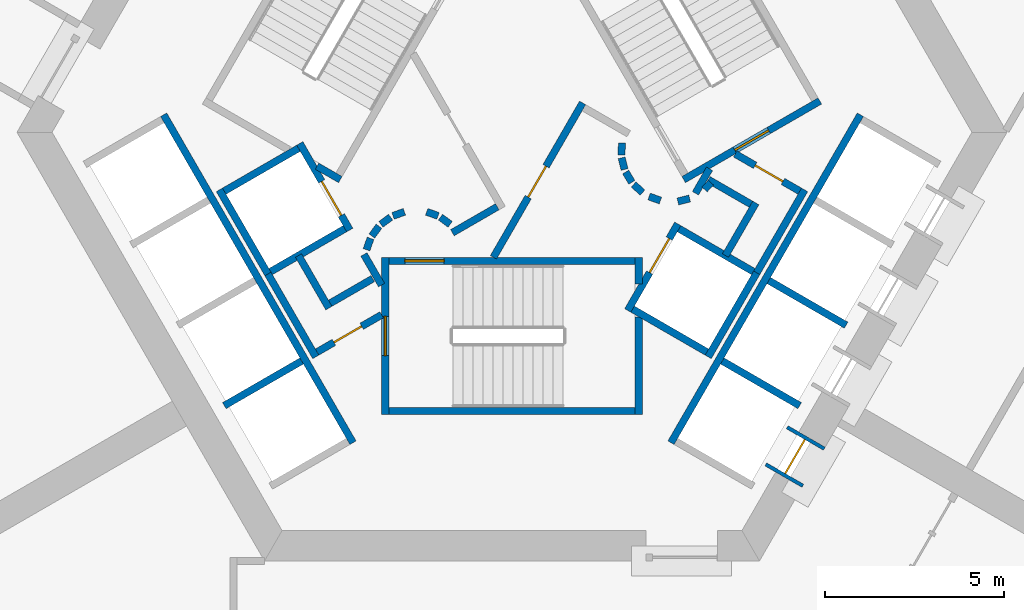
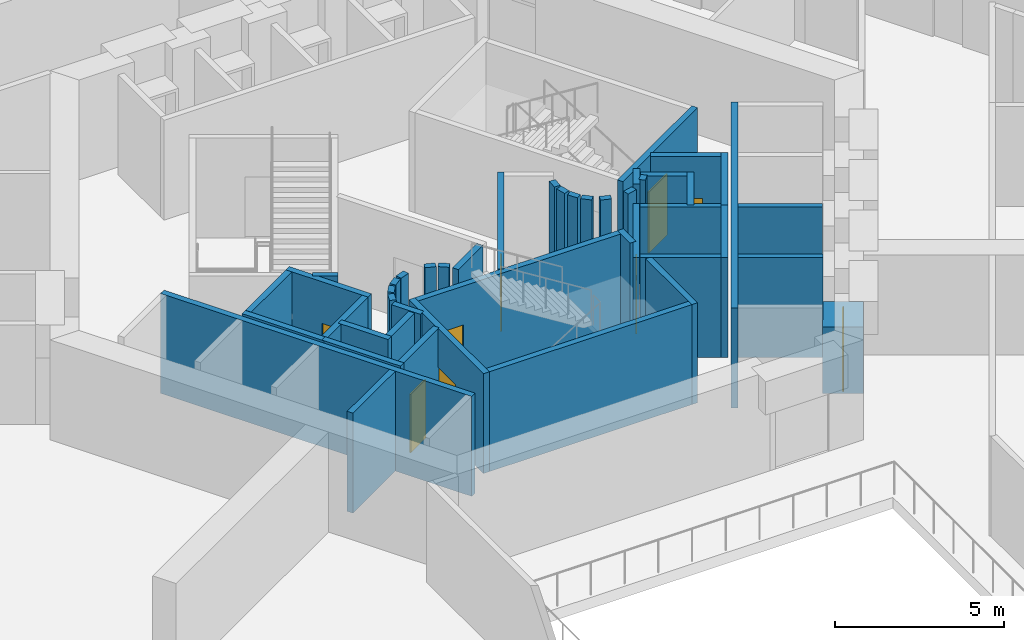
# One storey, part 6 of 15: 46 walls, 9 doors, 9 openings.
"""IFC4 building model written with IfcOpenShell, lengths in metres."""

from ifc_helpers import new_model, si_unit, direction, frame, frame_2d, origin, place, context, subcontext, project, spatial, rectangle, extrude, material, layer, layer_set, type_object, element, fill, save


model = new_model("IFC4")

# Units and contexts
model_context = context("Model", 3, precision=1e-05, world=origin(), true_north=direction((0.0, 1.0)))
body_context = subcontext(model_context, "Body", "Model", "MODEL_VIEW")
ifc_project = project(units=[si_unit("LENGTHUNIT", "METRE"), si_unit("AREAUNIT", "SQUARE_METRE"), si_unit("VOLUMEUNIT", "CUBIC_METRE"), si_unit("PLANEANGLEUNIT", "RADIAN"), si_unit("MASSUNIT", "GRAM", prefix="KILO")], contexts=[model_context])

# Site, building, storey
site_placement = place(None, origin())
site = spatial("IfcSite", under=ifc_project, at=site_placement, CompositionType="ELEMENT")
building_placement = place(site_placement, origin())
building = spatial("IfcBuilding", under=site, at=building_placement, Name="Entoto Arch Interchange Tower", CompositionType="ELEMENT")
storey_placement = place(building_placement, frame((0.0, 0.0, 128.60009765625)))
storey = spatial("IfcBuildingStorey", under=building, at=storey_placement, Name="L28", CompositionType="ELEMENT", Elevation=128.60009765625)

# Wall, opening, door
ifc_material_1 = material(Name="Concrete C40/50", Category="concrete")
ifc_layer_1 = layer(ifc_material_1, 1.199951171875)
ifc_layer_set_1 = layer_set([ifc_layer_1], Name="Concrete C40/50")
wall_type_1 = type_object("IfcWallType", Name="LIFT LANDING INFILL WALL", PredefinedType="STANDARD", material=ifc_layer_set_1)
wall_1_placement = place(storey_placement, frame((7.597900390625, -7.139892578125, 0.0), z_axis=(0.0, 0.0, 1.0), x_axis=(0.500362116554, 0.865816234728, 0.0)))
wall_1 = element("IfcWall", 1, at=wall_1_placement, inside=storey, type_object=wall_type_1, Name="Lift landing infill wall LR5 L28", PredefinedType="STANDARD", context=body_context, shape_type="SweptSolid", body=[
    extrude(rectangle(XDim=1.29931640625, YDim=1.199951171875, at=frame_2d((0.649658203125, 0.0))), origin(), (0.0, 0.0, 1.0), 2.39990234375),
])
opening_1_placement = place(wall_1_placement, frame((0.10009765625, 0.0, 0.0)))
opening_1 = element("IfcOpeningElement", 2, at=opening_1_placement, cuts=wall_1, Name="Opening LD-LR5-L28", PredefinedType="OPENING", context=body_context, shape_type="SweptSolid", body=[
    extrude(rectangle(XDim=1.10009765625, YDim=2.300048828125, at=frame_2d((0.550048828125, 1.14990234375))), frame((0.0, 0.60986328125, 0.0), z_axis=(0.0, -1.0, 0.0), x_axis=(1.0, 0.0, 0.0)), (0.0, 0.0, 1.0), 1.219970703125),
])
ifc_material_2 = material(Name="Stainless steel 1.4301 panels", Category="steel")
door_type_1 = type_object("IfcDoorType", Name="LIFT LANDING DOOR LD2 1100x2300", OperationType="SLIDING_TO_LEFT", PredefinedType="DOOR", material=ifc_material_2)
door_1_placement = place(opening_1_placement, origin())
door_1 = element("IfcDoor", 3, at=door_1_placement, inside=storey, type_object=door_type_1, Name="Lift landing door LR5 L28", OperationType="SLIDING_TO_LEFT", OverallHeight=2.300048828125, OverallWidth=1.10009765625, PredefinedType="DOOR", context=body_context, shape_type="SweptSolid", body=[
    extrude(rectangle(XDim=1.10009765625, YDim=2.300048828125, at=frame_2d((0.550048828125, 1.14990234375))), frame((0.0, 0.02490234375, 0.0), z_axis=(0.0, -1.0, 0.0), x_axis=(1.0, 0.0, 0.0)), (0.0, 0.0, 1.0), 0.050048828125),
])
fill(opening_1, door_1)

ifc_layer_2 = layer(ifc_material_1, 0.199951171875)
ifc_layer_set_2 = layer_set([ifc_layer_2], Name="Concrete C40/50")
wall_type_2 = type_object("IfcWallType", Name="LIFT SHAFT WALL 200", PredefinedType="STANDARD", material=ifc_layer_set_2)
wall_2_placement = place(storey_placement, frame((-5.93994140625, 2.18798828125, 0.0), z_axis=(0.0, 0.0, 1.0), x_axis=(0.49994636267, -0.866056369097, 0.0)))
wall_2 = element("IfcWall", 4, at=wall_2_placement, inside=storey, type_object=wall_type_2, Name="Shaft wall SW1 front", PredefinedType="STANDARD", context=body_context, shape_type="SweptSolid", body=[
    extrude(rectangle(XDim=2.800048828125, YDim=0.199951171875, at=frame_2d((1.39990234375, 0.0))), origin(), (0.0, 0.0, 1.0), 3.599853515625),
])
opening_2_placement = place(wall_2_placement, frame((1.22509765625, 0.0, 0.0)))
opening_2 = element("IfcOpeningElement", 5, at=opening_2_placement, cuts=wall_2, Name="Opening LD-FF2-L28", PredefinedType="OPENING", context=body_context, shape_type="SweptSolid", body=[
    extrude(rectangle(XDim=1.10009765625, YDim=2.10009765625, at=frame_2d((0.550048828125, 1.050048828125))), frame((0.0, 0.10986328125, 0.0), z_axis=(0.0, -1.0, 0.0), x_axis=(1.0, 0.0, 0.0)), (0.0, 0.0, 1.0), 0.219970703125),
])
door_type_2 = type_object("IfcDoorType", Name="LIFT LANDING DOOR LD1 1100x2100", OperationType="SLIDING_TO_LEFT", PredefinedType="DOOR", material=ifc_material_2)
door_2_placement = place(opening_2_placement, origin())
door_2 = element("IfcDoor", 6, at=door_2_placement, inside=storey, type_object=door_type_2, Name="Lift landing door FF2 L28", OperationType="SLIDING_TO_LEFT", OverallHeight=2.10009765625, OverallWidth=1.10009765625, PredefinedType="DOOR", context=body_context, shape_type="SweptSolid", body=[
    extrude(rectangle(XDim=1.10009765625, YDim=2.10009765625, at=frame_2d((0.550048828125, 1.050048828125))), frame((0.0, 0.02490234375, 0.0), z_axis=(0.0, -1.0, 0.0), x_axis=(1.0, 0.0, 0.0)), (0.0, 0.0, 1.0), 0.050048828125),
])
fill(opening_2, door_2)

# Walls
wall_3_placement = place(storey_placement, frame((-8.19189453125, 0.887939453125, 0.0), z_axis=(0.0, 0.0, 1.0), x_axis=(0.49994636267, -0.866056369097, 0.0)))
element("IfcWall", 7, at=wall_3_placement, inside=storey, type_object=wall_type_2, Name="Shaft wall SW1 back", PredefinedType="STANDARD", context=body_context, shape_type="SweptSolid", body=[
    extrude(rectangle(XDim=2.800048828125, YDim=0.199951171875, at=frame_2d((1.39990234375, 0.0))), origin(), (0.0, 0.0, 1.0), 3.599853515625),
])
for number, where, z_axis, x_axis, name in (
    (8, (-5.97705078125, 2.052001953125, 0.0), (0.0, 0.0, 1.0), (-0.865973769406, -0.500089422704, 0.0), "Shaft wall SW1 cross 1"),
    (9, (-4.677001953125, -0.199951171875, 0.0), (0.0, 0.0, 1.0), (-0.865973769406, -0.500089422704, 0.0), "Shaft wall SW1 cross 2"),
):
    element("IfcWall", number, at=place(storey_placement, frame(where, z_axis=z_axis, x_axis=x_axis)), inside=storey, type_object=wall_type_2, Name=name, PredefinedType="STANDARD", context=body_context, shape_type="SweptSolid", body=[
        extrude(rectangle(XDim=2.3994140625, YDim=0.199951171875, at=frame_2d((1.19970703125, 0.0))), origin(), (0.0, 0.0, 1.0), 3.599853515625),
    ])
wall_4_placement = place(storey_placement, frame((-9.7509765625, 2.989990234375, 0.0), z_axis=(0.0, 0.0, 1.0), x_axis=(0.50000090737, -0.866024879913, 0.0)))
element("IfcWall", 10, at=wall_4_placement, inside=storey, type_object=wall_type_2, Name="Shaft wall SW3 front", PredefinedType="STANDARD", context=body_context, shape_type="SweptSolid", body=[
    extrude(rectangle(XDim=10.60009765625, YDim=0.199951171875, at=frame_2d((5.300048828125, 0.0))), origin(), (0.0, 0.0, 1.0), 3.599853515625),
])
wall_5_placement = place(storey_placement, frame((-5.887939453125, -3.902099609375, 0.0), z_axis=(0.0, 0.0, 1.0), x_axis=(-0.866022959057, -0.500004234368, 0.0)))
element("IfcWall", 11, at=wall_5_placement, inside=storey, type_object=wall_type_2, Name="Shaft wall SW3 cross 4", PredefinedType="STANDARD", context=body_context, shape_type="SweptSolid", body=[
    extrude(rectangle(XDim=2.5, YDim=0.199951171875, at=frame_2d((1.25, 0.0))), origin(), (0.0, 0.0, 1.0), 3.599853515625),
])

# Wall, opening, door
wall_6_placement = place(storey_placement, frame((3.239990234375, -2.488037109375, 0.0), z_axis=(0.0, 0.0, 1.0), x_axis=(0.49994636267, 0.866056369097, 0.0)))
wall_6 = element("IfcWall", 12, at=wall_6_placement, inside=storey, type_object=wall_type_2, Name="Shaft wall SE1 front", PredefinedType="STANDARD", context=body_context, shape_type="SweptSolid", body=[
    extrude(rectangle(XDim=2.800048828125, YDim=0.199951171875, at=frame_2d((1.39990234375, 0.0))), origin(), (0.0, 0.0, 1.0), 3.599853515625),
])
opening_3_placement = place(wall_6_placement, frame((1.22509765625, 0.0, 0.0)))
opening_3 = element("IfcOpeningElement", 13, at=opening_3_placement, cuts=wall_6, Name="Opening LD-FF1-L28", PredefinedType="OPENING", context=body_context, shape_type="SweptSolid", body=[
    extrude(rectangle(XDim=1.10009765625, YDim=2.10009765625, at=frame_2d((0.550048828125, 1.050048828125))), frame((0.0, 0.10986328125, 0.0), z_axis=(0.0, -1.0, 0.0), x_axis=(1.0, 0.0, 0.0)), (0.0, 0.0, 1.0), 0.219970703125),
])
door_3_placement = place(opening_3_placement, origin())
door_3 = element("IfcDoor", 14, at=door_3_placement, inside=storey, type_object=door_type_2, Name="Lift landing door FF1 L28", OperationType="SLIDING_TO_LEFT", OverallHeight=2.10009765625, OverallWidth=1.10009765625, PredefinedType="DOOR", context=body_context, shape_type="SweptSolid", body=[
    extrude(rectangle(XDim=1.10009765625, YDim=2.10009765625, at=frame_2d((0.550048828125, 1.050048828125))), frame((0.0, 0.02490234375, 0.0), z_axis=(0.0, -1.0, 0.0), x_axis=(1.0, 0.0, 0.0)), (0.0, 0.0, 1.0), 0.050048828125),
])
fill(opening_3, door_3)

# Walls
wall_7_placement = place(storey_placement, frame((5.491943359375, -3.7880859375, 0.0), z_axis=(0.0, 0.0, 1.0), x_axis=(0.500011755427, 0.866018616679, 0.0)))
element("IfcWall", 15, at=wall_7_placement, inside=storey, type_object=wall_type_2, Name="Shaft wall SE1 back", PredefinedType="STANDARD", context=body_context, shape_type="SweptSolid", body=[
    extrude(rectangle(XDim=2.80029296875, YDim=0.199951171875, at=frame_2d((1.400146484375, 0.0))), origin(), (0.0, 0.0, 1.0), 3.599853515625),
])
wall_8_placement = place(storey_placement, frame((3.376953125, -2.451904296875, 0.0), z_axis=(0.0, 0.0, 1.0), x_axis=(0.865955154139, -0.50012165622, 0.0)))
element("IfcWall", 16, at=wall_8_placement, inside=storey, type_object=wall_type_2, Name="Shaft wall SE1 cross 1", PredefinedType="STANDARD", context=body_context, shape_type="SweptSolid", body=[
    extrude(rectangle(XDim=2.39990234375, YDim=0.199951171875, at=frame_2d((1.199951171875, 0.0))), origin(), (0.0, 0.0, 1.0), 3.599853515625),
])
wall_9_placement = place(storey_placement, frame((4.677001953125, -0.199951171875, 0.0), z_axis=(0.0, 0.0, 1.0), x_axis=(0.865973769406, -0.500089422704, 0.0)))
element("IfcWall", 17, at=wall_9_placement, inside=storey, type_object=wall_type_2, Name="Shaft wall SE1 cross 2", PredefinedType="STANDARD", context=body_context, shape_type="SweptSolid", body=[
    extrude(rectangle(XDim=2.3994140625, YDim=0.199951171875, at=frame_2d((1.19970703125, 0.0))), origin(), (0.0, 0.0, 1.0), 3.599853515625),
])
wall_10_placement = place(storey_placement, frame((4.450927734375, -6.18994140625, 0.0), z_axis=(0.0, 0.0, 1.0), x_axis=(0.50000090737, 0.866024879913, 0.0)))
element("IfcWall", 18, at=wall_10_placement, inside=storey, type_object=wall_type_2, Name="Shaft wall SE3 front", PredefinedType="STANDARD", context=body_context, shape_type="SweptSolid", body=[
    extrude(rectangle(XDim=10.60009765625, YDim=0.199951171875, at=frame_2d((5.300048828125, 0.0))), origin(), (0.0, 0.0, 1.0), 3.599853515625),
])
for number, where, z_axis, x_axis, name in (
    (19, (5.887939453125, -3.902099609375, 0.0), (0.0, 0.0, 1.0), (0.866022959057, -0.500004234368, 0.0), "Shaft wall SE3 cross 2"),
    (20, (7.18798828125, -1.64990234375, 0.0), (0.0, 0.0, 1.0), (0.866022959057, -0.500004234368, 0.0), "Shaft wall SE3 cross 3"),
):
    element("IfcWall", number, at=place(storey_placement, frame(where, z_axis=z_axis, x_axis=x_axis)), inside=storey, type_object=wall_type_2, Name=name, PredefinedType="STANDARD", context=body_context, shape_type="SweptSolid", body=[
        extrude(rectangle(XDim=2.5, YDim=0.199951171875, at=frame_2d((1.25, 0.0))), origin(), (0.0, 0.0, 1.0), 3.599853515625),
    ])
ifc_material_3 = material(Name="Gypsum board partition on steel studs", Category="steel")
ifc_layer_3 = layer(ifc_material_3, 0.199951171875)
ifc_layer_set_3 = layer_set([ifc_layer_3], Name="Gypsum board partition on steel studs")
wall_type_3 = type_object("IfcWallType", Name="PARTITION 200", PredefinedType="PARTITIONING", material=ifc_layer_set_3)
wall_11_placement = place(storey_placement, frame((5.389892578125, 0.89794921875, 0.0), z_axis=(0.0, 0.0, 1.0), x_axis=(0.673828488714, 0.738887791073, 0.0)))
element("IfcWall", 21, at=wall_11_placement, inside=storey, type_object=wall_type_3, Name="wall:L28:p084", PredefinedType="PARTITIONING", context=body_context, shape_type="SweptSolid", body=[
    extrude(rectangle(XDim=0.2626953125, YDim=0.199951171875, at=frame_2d((0.13134765625, 0.0))), origin(), (0.0, 0.0, 1.0), 3.599853515625),
])
wall_12_placement = place(storey_placement, frame((5.4990234375, 1.172119140625, 0.0), z_axis=(0.0, 0.0, 1.0), x_axis=(0.866333505267, -0.499465972466, 0.0)))
element("IfcWall", 22, at=wall_12_placement, inside=storey, type_object=wall_type_3, Name="wall:L28:p085", PredefinedType="PARTITIONING", context=body_context, shape_type="SweptSolid", body=[
    extrude(rectangle(XDim=1.37353515625, YDim=0.199951171875, at=frame_2d((0.686767578125, 0.0))), origin(), (0.0, 0.0, 1.0), 3.599853515625),
])
wall_13_placement = place(storey_placement, frame((6.825927734375, 0.52197265625, 0.0), z_axis=(0.0, 0.0, 1.0), x_axis=(-0.500016722714, -0.866015748706, 0.0)))
element("IfcWall", 23, at=wall_13_placement, inside=storey, type_object=wall_type_3, Name="wall:L28:p086", PredefinedType="PARTITIONING", context=body_context, shape_type="SweptSolid", body=[
    extrude(rectangle(XDim=1.69970703125, YDim=0.199951171875, at=frame_2d((0.849853515625, 0.0))), origin(), (0.0, 0.0, 1.0), 3.599853515625),
])

# Wall, opening, door
wall_14_placement = place(storey_placement, frame((6.25, 1.89404296875, 0.0), z_axis=(0.0, 0.0, 1.0), x_axis=(0.866043184279, -0.499969202016, 0.0)))
wall_14 = element("IfcWall", 24, at=wall_14_placement, inside=storey, type_object=wall_type_3, Name="wall:L28:p087", PredefinedType="PARTITIONING", context=body_context, shape_type="SweptSolid", body=[
    extrude(rectangle(XDim=2.084228515625, YDim=0.199951171875, at=frame_2d((1.0419921875, 0.0))), origin(), (0.0, 0.0, 1.0), 3.599853515625),
])
opening_4_placement = place(wall_14_placement, frame((0.64208984375, 0.0, 0.0)))
opening_4 = element("IfcOpeningElement", 25, at=opening_4_placement, cuts=wall_14, Name="Opening L28-D37", PredefinedType="OPENING", context=body_context, shape_type="SweptSolid", body=[
    extrude(rectangle(XDim=0.89990234375, YDim=2.10009765625, at=frame_2d((0.449951171875, 1.050048828125))), frame((0.0, 0.10986328125, 0.0), z_axis=(0.0, -1.0, 0.0), x_axis=(1.0, 0.0, 0.0)), (0.0, 0.0, 1.0), 0.219970703125),
])
ifc_material_4 = material(Name="Timber door leaf in Steel S235 frame", Category="steel")
door_type_3 = type_object("IfcDoorType", Name="DOOR DS-09 900x2100", OperationType="SINGLE_SWING_LEFT", PredefinedType="DOOR", material=ifc_material_4)
door_4_placement = place(opening_4_placement, origin())
door_4 = element("IfcDoor", 26, at=door_4_placement, inside=storey, type_object=door_type_3, Name="door:L28:37", OperationType="SINGLE_SWING_LEFT", OverallHeight=2.10009765625, OverallWidth=0.89990234375, PredefinedType="DOOR", context=body_context, shape_type="SweptSolid", body=[
    extrude(rectangle(XDim=0.89990234375, YDim=2.10009765625, at=frame_2d((0.449951171875, 1.050048828125))), frame((0.0, 0.02490234375, 0.0), z_axis=(0.0, -1.0, 0.0), x_axis=(1.0, 0.0, 0.0)), (0.0, 0.0, 1.0), 0.050048828125),
])
fill(opening_4, door_4)

# Walls
wall_15_placement = place(storey_placement, frame((8.19189453125, 0.887939453125, 0.0), z_axis=(0.0, 0.0, 1.0), x_axis=(-0.499940625693, -0.866059680843, 0.0)))
element("IfcWall", 27, at=wall_15_placement, inside=storey, type_object=wall_type_3, Name="wall:L28:p088", PredefinedType="PARTITIONING", context=body_context, shape_type="SweptSolid", body=[
    extrude(rectangle(XDim=2.679931640625, YDim=0.199951171875, at=frame_2d((1.33984375, 0.0))), origin(), (0.0, 0.0, 1.0), 3.599853515625),
])
wall_16_placement = place(storey_placement, frame((5.135009765625, 0.79296875, 0.0), z_axis=(0.0, 0.0, 1.0), x_axis=(0.499526442893, 0.866298639529, 0.0)))
element("IfcWall", 28, at=wall_16_placement, inside=storey, type_object=wall_type_3, Name="wall:L28:p089", PredefinedType="PARTITIONING", context=body_context, shape_type="SweptSolid", body=[
    extrude(rectangle(XDim=0.790771484375, YDim=0.199951171875, at=frame_2d((0.3955078125, 0.0))), origin(), (0.0, 0.0, 1.0), 3.599853515625),
])
wall_17_placement = place(storey_placement, frame((-3.89990234375, -1.59912109375, 0.0), z_axis=(0.0, 0.0, 1.0), x_axis=(-0.865969445389, -0.500096910261, 0.0)))
element("IfcWall", 29, at=wall_17_placement, inside=storey, type_object=wall_type_3, Name="wall:L28:p090", PredefinedType="PARTITIONING", context=body_context, shape_type="SweptSolid", body=[
    extrude(rectangle(XDim=1.373291015625, YDim=0.199951171875, at=frame_2d((0.6865234375, 0.0))), origin(), (0.0, 0.0, 1.0), 3.599853515625),
])
wall_18_placement = place(storey_placement, frame((-5.1259765625, -2.422119140625, 0.0), z_axis=(0.0, 0.0, 1.0), x_axis=(-0.500062241894, 0.865989465428, 0.0)))
element("IfcWall", 30, at=wall_18_placement, inside=storey, type_object=wall_type_3, Name="wall:L28:p091", PredefinedType="PARTITIONING", context=body_context, shape_type="SweptSolid", body=[
    extrude(rectangle(XDim=1.699951171875, YDim=0.199951171875, at=frame_2d((0.85009765625, 0.0))), origin(), (0.0, 0.0, 1.0), 3.599853515625),
])

# Wall, opening, door
wall_19_placement = place(storey_placement, frame((-3.64990234375, -2.610107421875, 0.0), z_axis=(0.0, 0.0, 1.0), x_axis=(-0.866072462134, -0.499918483688, 0.0)))
wall_19 = element("IfcWall", 31, at=wall_19_placement, inside=storey, type_object=wall_type_3, Name="wall:L28:p092", PredefinedType="PARTITIONING", context=body_context, shape_type="SweptSolid", body=[
    extrude(rectangle(XDim=2.084228515625, YDim=0.199951171875, at=frame_2d((1.0419921875, 0.0))), origin(), (0.0, 0.0, 1.0), 3.599853515625),
])
opening_5_placement = place(wall_19_placement, frame((0.64208984375, 0.0, 0.0)))
opening_5 = element("IfcOpeningElement", 32, at=opening_5_placement, cuts=wall_19, Name="Opening L28-D38", PredefinedType="OPENING", context=body_context, shape_type="SweptSolid", body=[
    extrude(rectangle(XDim=0.89990234375, YDim=2.10009765625, at=frame_2d((0.449951171875, 1.050048828125))), frame((0.0, 0.10986328125, 0.0), z_axis=(0.0, -1.0, 0.0), x_axis=(1.0, 0.0, 0.0)), (0.0, 0.0, 1.0), 0.219970703125),
])
door_5_placement = place(opening_5_placement, origin())
door_5 = element("IfcDoor", 33, at=door_5_placement, inside=storey, type_object=door_type_3, Name="door:L28:38", OperationType="SINGLE_SWING_LEFT", OverallHeight=2.10009765625, OverallWidth=0.89990234375, PredefinedType="DOOR", context=body_context, shape_type="SweptSolid", body=[
    extrude(rectangle(XDim=0.89990234375, YDim=2.10009765625, at=frame_2d((0.449951171875, 1.050048828125))), frame((0.0, 0.02490234375, 0.0), z_axis=(0.0, -1.0, 0.0), x_axis=(1.0, 0.0, 0.0)), (0.0, 0.0, 1.0), 0.050048828125),
])
fill(opening_5, door_5)

# Walls
wall_20_placement = place(storey_placement, frame((-5.491943359375, -3.7880859375, 0.0), z_axis=(0.0, 0.0, 1.0), x_axis=(-0.500008949224, 0.866020236886, 0.0)))
element("IfcWall", 34, at=wall_20_placement, inside=storey, type_object=wall_type_3, Name="wall:L28:p093", PredefinedType="PARTITIONING", context=body_context, shape_type="SweptSolid", body=[
    extrude(rectangle(XDim=2.68017578125, YDim=0.199951171875, at=frame_2d((1.340087890625, 0.0))), origin(), (0.0, 0.0, 1.0), 3.599853515625),
])
wall_21_placement = place(storey_placement, frame((-4.14501953125, -0.919921875, 0.0), z_axis=(0.0, 0.0, 1.0), x_axis=(0.499743786207, -0.866173278362, 0.0)))
element("IfcWall", 35, at=wall_21_placement, inside=storey, type_object=wall_type_3, Name="wall:L28:p094", PredefinedType="PARTITIONING", context=body_context, shape_type="SweptSolid", body=[
    extrude(rectangle(XDim=0.99072265625, YDim=0.199951171875, at=frame_2d((0.495361328125, 0.0))), origin(), (0.0, 0.0, 1.0), 3.599853515625),
])

# Wall, opening, door
wall_22_placement = place(storey_placement, frame((-0.52001953125, -1.0, 0.0), z_axis=(0.0, 0.0, 1.0), x_axis=(0.50011622646, 0.865958290007, 0.0)))
wall_22 = element("IfcWall", 36, at=wall_22_placement, inside=storey, type_object=wall_type_3, Name="wall:L28:p099", PredefinedType="PARTITIONING", context=body_context, shape_type="SweptSolid", body=[
    extrude(rectangle(XDim=4.990966796875, YDim=0.199951171875, at=frame_2d((2.49560546875, 0.0))), origin(), (0.0, 0.0, 1.0), 3.599853515625),
])
opening_6_placement = place(wall_22_placement, frame((1.945068359375, 0.0, 0.0)))
opening_6 = element("IfcOpeningElement", 37, at=opening_6_placement, cuts=wall_22, Name="Opening L28-D35", PredefinedType="OPENING", context=body_context, shape_type="SweptSolid", body=[
    extrude(rectangle(XDim=1.0, YDim=2.10009765625, at=frame_2d((0.5, 1.050048828125))), frame((0.0, 0.10986328125, 0.0), z_axis=(0.0, -1.0, 0.0), x_axis=(1.0, 0.0, 0.0)), (0.0, 0.0, 1.0), 0.219970703125),
])
ifc_material_5 = material(Name="Fire-rated Steel S235 door and frame", Category="steel")
door_type_4 = type_object("IfcDoorType", Name="DOOR FD-10 1000x2100", OperationType="SINGLE_SWING_LEFT", PredefinedType="DOOR", material=ifc_material_5)
door_6_placement = place(opening_6_placement, origin())
door_6 = element("IfcDoor", 38, at=door_6_placement, inside=storey, type_object=door_type_4, Name="door:L28:35", OperationType="SINGLE_SWING_LEFT", OverallHeight=2.10009765625, OverallWidth=1.0, PredefinedType="DOOR", context=body_context, shape_type="SweptSolid", body=[
    extrude(rectangle(XDim=1.0, YDim=2.10009765625, at=frame_2d((0.5, 1.050048828125))), frame((0.0, 0.02490234375, 0.0), z_axis=(0.0, -1.0, 0.0), x_axis=(1.0, 0.0, 0.0)), (0.0, 0.0, 1.0), 0.050048828125),
])
fill(opening_6, door_6)

# Walls
wall_23_placement = place(storey_placement, frame((3.0791015625, 2.198974609375, 0.0), z_axis=(0.0, 0.0, 1.0), x_axis=(-0.047771483479, -0.998858290933, 0.0)))
element("IfcWall", 39, at=wall_23_placement, inside=storey, type_object=wall_type_3, Name="wall:L28:p101", PredefinedType="PARTITIONING", context=body_context, shape_type="SweptSolid", body=[
    extrude(rectangle(XDim=0.33740234375, YDim=0.199951171875, at=frame_2d((0.168701171875, 0.0))), origin(), (0.0, 0.0, 1.0), 3.599853515625),
])
wall_24_placement = place(storey_placement, frame((3.070068359375, 1.785888671875, 0.0), z_axis=(0.0, 0.0, 1.0), x_axis=(0.242705583207, -0.970099994784, 0.0)))
element("IfcWall", 40, at=wall_24_placement, inside=storey, type_object=wall_type_3, Name="wall:L28:p102", PredefinedType="PARTITIONING", context=body_context, shape_type="SweptSolid", body=[
    extrude(rectangle(XDim=0.337890625, YDim=0.199951171875, at=frame_2d((0.1689453125, 0.0))), origin(), (0.0, 0.0, 1.0), 3.599853515625),
])
for number, where, z_axis, x_axis, name in (
    (41, (3.181884765625, 1.387939453125, 0.0), (0.0, 0.0, 1.0), (0.512474702713, -0.85870232274, 0.0), "wall:L28:p103"),
    (42, (3.404052734375, 1.0390625, 0.0), (0.0, 0.0, 1.0), (0.740267097712, -0.672312891476, 0.0), "wall:L28:p104"),
):
    element("IfcWall", number, at=place(storey_placement, frame(where, z_axis=z_axis, x_axis=x_axis)), inside=storey, type_object=wall_type_3, Name=name, PredefinedType="PARTITIONING", context=body_context, shape_type="SweptSolid", body=[
        extrude(rectangle(XDim=0.337646484375, YDim=0.199951171875, at=frame_2d((0.1689453125, 0.0))), origin(), (0.0, 0.0, 1.0), 3.599853515625),
    ])
wall_25_placement = place(storey_placement, frame((3.837890625, 0.701904296875, 0.0), z_axis=(0.0, 0.0, 1.0), x_axis=(0.941035081519, -0.338308993895, 0.0)))
element("IfcWall", 43, at=wall_25_placement, inside=storey, type_object=wall_type_3, Name="wall:L28:p105", PredefinedType="PARTITIONING", context=body_context, shape_type="SweptSolid", body=[
    extrude(rectangle(XDim=0.3369140625, YDim=0.199951171875, at=frame_2d((0.16845703125, 0.0))), origin(), (0.0, 0.0, 1.0), 3.599853515625),
])
wall_26_placement = place(storey_placement, frame((4.64404296875, 0.56396484375, 0.0), z_axis=(0.0, 0.0, 1.0), x_axis=(0.969929076366, 0.243387729394, 0.0)))
element("IfcWall", 44, at=wall_26_placement, inside=storey, type_object=wall_type_3, Name="wall:L28:p106", PredefinedType="PARTITIONING", context=body_context, shape_type="SweptSolid", body=[
    extrude(rectangle(XDim=0.337158203125, YDim=0.199951171875, at=frame_2d((0.16845703125, 0.0))), origin(), (0.0, 0.0, 1.0), 3.599853515625),
])
wall_27_placement = place(storey_placement, frame((-0.412109375, 0.4140625, 0.0), z_axis=(0.0, 0.0, 1.0), x_axis=(-0.866017369001, -0.500013916395, 0.0)))
element("IfcWall", 45, at=wall_27_placement, inside=storey, type_object=wall_type_3, Name="wall:L28:p108", PredefinedType="PARTITIONING", context=body_context, shape_type="SweptSolid", body=[
    extrude(rectangle(XDim=1.4501953125, YDim=0.199951171875, at=frame_2d((0.72509765625, 0.0))), origin(), (0.0, 0.0, 1.0), 3.599853515625),
])
wall_28_placement = place(storey_placement, frame((-1.73095703125, -0.076904296875, 0.0), z_axis=(0.0, 0.0, 1.0), x_axis=(-0.804311165252, 0.594208338422, 0.0)))
element("IfcWall", 46, at=wall_28_placement, inside=storey, type_object=wall_type_3, Name="wall:L28:p109", PredefinedType="PARTITIONING", context=body_context, shape_type="SweptSolid", body=[
    extrude(rectangle(XDim=0.338134765625, YDim=0.199951171875, at=frame_2d((0.1689453125, 0.0))), origin(), (0.0, 0.0, 1.0), 3.599853515625),
])
wall_29_placement = place(storey_placement, frame((-2.070068359375, 0.159912109375, 0.0), z_axis=(0.0, 0.0, 1.0), x_axis=(-0.942199461132, 0.335052496547, 0.0)))
element("IfcWall", 47, at=wall_29_placement, inside=storey, type_object=wall_type_3, Name="wall:L28:p110", PredefinedType="PARTITIONING", context=body_context, shape_type="SweptSolid", body=[
    extrude(rectangle(XDim=0.33740234375, YDim=0.199951171875, at=frame_2d((0.168701171875, 0.0))), origin(), (0.0, 0.0, 1.0), 3.599853515625),
])
wall_30_placement = place(storey_placement, frame((-3.011962890625, 0.27294921875, 0.0), z_axis=(0.0, 0.0, 1.0), x_axis=(-0.942280615813, -0.334824194261, 0.0)))
element("IfcWall", 48, at=wall_30_placement, inside=storey, type_object=wall_type_3, Name="wall:L28:p111", PredefinedType="PARTITIONING", context=body_context, shape_type="SweptSolid", body=[
    extrude(rectangle(XDim=0.337646484375, YDim=0.199951171875, at=frame_2d((0.1689453125, 0.0))), origin(), (0.0, 0.0, 1.0), 3.599853515625),
])
wall_31_placement = place(storey_placement, frame((-3.39697265625, 0.1240234375, 0.0), z_axis=(0.0, 0.0, 1.0), x_axis=(-0.804311165252, -0.594208338422, 0.0)))
element("IfcWall", 49, at=wall_31_placement, inside=storey, type_object=wall_type_3, Name="wall:L28:p112", PredefinedType="PARTITIONING", context=body_context, shape_type="SweptSolid", body=[
    extrude(rectangle(XDim=0.338134765625, YDim=0.199951171875, at=frame_2d((0.1689453125, 0.0))), origin(), (0.0, 0.0, 1.0), 3.599853515625),
])
wall_32_placement = place(storey_placement, frame((-3.722900390625, -0.131103515625, 0.0), z_axis=(0.0, 0.0, 1.0), x_axis=(-0.594675113454, -0.803966112121, 0.0)))
element("IfcWall", 50, at=wall_32_placement, inside=storey, type_object=wall_type_3, Name="wall:L28:p113", PredefinedType="PARTITIONING", context=body_context, shape_type="SweptSolid", body=[
    extrude(rectangle(XDim=0.33837890625, YDim=0.199951171875, at=frame_2d((0.169189453125, 0.0))), origin(), (0.0, 0.0, 1.0), 3.599853515625),
])
wall_33_placement = place(storey_placement, frame((-3.9599609375, -0.469970703125, 0.0), z_axis=(0.0, 0.0, 1.0), x_axis=(-0.334824194261, -0.942280615813, 0.0)))
element("IfcWall", 51, at=wall_33_placement, inside=storey, type_object=wall_type_3, Name="wall:L28:p114", PredefinedType="PARTITIONING", context=body_context, shape_type="SweptSolid", body=[
    extrude(rectangle(XDim=0.337646484375, YDim=0.199951171875, at=frame_2d((0.1689453125, 0.0))), origin(), (0.0, 0.0, 1.0), 3.599853515625),
])

# Wall, opening, door
ifc_layer_4 = layer(ifc_material_1, 0.199951171875)
ifc_layer_set_4 = layer_set([ifc_layer_4], Name="Concrete C40/50")
wall_type_4 = type_object("IfcWallType", Name="STAIR ENCLOSURE WALL 200", PredefinedType="STANDARD", material=ifc_layer_set_4)
wall_34_placement = place(storey_placement, frame((-3.550048828125, -1.0, 0.0), z_axis=(0.0, 0.0, 1.0), x_axis=(0.0, -1.0, 0.0)))
wall_34 = element("IfcWall", 52, at=wall_34_placement, inside=storey, type_object=wall_type_4, Name="Stair wall ST-S near", PredefinedType="STANDARD", context=body_context, shape_type="SweptSolid", body=[
    extrude(rectangle(XDim=4.39990234375, YDim=0.199951171875, at=frame_2d((2.199951171875, 0.0))), origin(), (0.0, 0.0, 1.0), 3.599853515625),
])
opening_7_placement = place(wall_34_placement, frame((1.64990234375, 0.0, 0.0)))
opening_7 = element("IfcOpeningElement", 53, at=opening_7_placement, cuts=wall_34, Name="Opening SD-ST-S-L28-E", PredefinedType="OPENING", context=body_context, shape_type="SweptSolid", body=[
    extrude(rectangle(XDim=1.10009765625, YDim=2.199951171875, at=frame_2d((0.550048828125, 1.10009765625))), frame((0.0, 0.10986328125, 0.0), z_axis=(0.0, -1.0, 0.0), x_axis=(1.0, 0.0, 0.0)), (0.0, 0.0, 1.0), 0.219970703125),
])
ifc_material_6 = material(Name="Steel S235", Category="steel")
door_type_5 = type_object("IfcDoorType", Name="STAIR DOOR SD1 1100x2200", OperationType="SINGLE_SWING_LEFT", PredefinedType="DOOR", material=ifc_material_6)
door_7_placement = place(opening_7_placement, origin())
door_7 = element("IfcDoor", 54, at=door_7_placement, inside=storey, type_object=door_type_5, Name="Stair door ST-S L28 end", OperationType="SINGLE_SWING_LEFT", OverallHeight=2.199951171875, OverallWidth=1.10009765625, PredefinedType="DOOR", context=body_context, shape_type="SweptSolid", body=[
    extrude(rectangle(XDim=1.10009765625, YDim=2.199951171875, at=frame_2d((0.550048828125, 1.10009765625))), frame((0.0, 0.02490234375, 0.0), z_axis=(0.0, -1.0, 0.0), x_axis=(1.0, 0.0, 0.0)), (0.0, 0.0, 1.0), 0.050048828125),
])
fill(opening_7, door_7)

# Walls
wall_35_placement = place(storey_placement, frame((3.550048828125, -2.6669921875, 0.0), z_axis=(0.0, 0.0, 1.0), x_axis=(0.0, -1.0, 0.0)))
element("IfcWall", 55, at=wall_35_placement, inside=storey, type_object=wall_type_4, Name="Stair wall ST-S far", PredefinedType="STANDARD", context=body_context, shape_type="SweptSolid", body=[
    extrude(rectangle(XDim=2.73291015625, YDim=0.199951171875, at=frame_2d((1.366455078125, 0.0))), origin(), (0.0, 0.0, 1.0), 3.599853515625),
])
wall_36_placement = place(storey_placement, frame((3.550048828125, -1.0, 0.0), z_axis=(0.0, 0.0, 1.0), x_axis=(0.0, -1.0, 0.0)))
element("IfcWall", 56, at=wall_36_placement, inside=storey, type_object=wall_type_4, Name="Stair wall ST-S far return", PredefinedType="STANDARD", context=body_context, shape_type="SweptSolid", body=[
    extrude(rectangle(XDim=0.7509765625, YDim=0.199951171875, at=frame_2d((0.37548828125, 0.0))), origin(), (0.0, 0.0, 1.0), 3.599853515625),
])

# Wall, opening, door
wall_37_placement = place(storey_placement, frame((-3.449951171875, -1.10009765625, 0.0), z_axis=(0.0, 0.0, 1.0), x_axis=(1.0, 0.0, 0.0)))
wall_37 = element("IfcWall", 57, at=wall_37_placement, inside=storey, type_object=wall_type_4, Name="Stair wall ST-S hall", PredefinedType="STANDARD", context=body_context, shape_type="SweptSolid", body=[
    extrude(rectangle(XDim=6.89990234375, YDim=0.199951171875, at=frame_2d((3.449951171875, 0.0))), origin(), (0.0, 0.0, 1.0), 3.599853515625),
])
opening_8_placement = place(wall_37_placement, frame((0.449951171875, 0.0, 0.0)))
opening_8 = element("IfcOpeningElement", 58, at=opening_8_placement, cuts=wall_37, Name="Opening SD-ST-S-L28", PredefinedType="OPENING", context=body_context, shape_type="SweptSolid", body=[
    extrude(rectangle(XDim=1.10009765625, YDim=2.199951171875, at=frame_2d((0.550048828125, 1.10009765625))), frame((0.0, 0.10986328125, 0.0), z_axis=(0.0, -1.0, 0.0), x_axis=(1.0, 0.0, 0.0)), (0.0, 0.0, 1.0), 0.219970703125),
])
door_8_placement = place(opening_8_placement, origin())
door_8 = element("IfcDoor", 59, at=door_8_placement, inside=storey, type_object=door_type_5, Name="Stair door ST-S L28", OperationType="SINGLE_SWING_LEFT", OverallHeight=2.199951171875, OverallWidth=1.10009765625, PredefinedType="DOOR", context=body_context, shape_type="SweptSolid", body=[
    extrude(rectangle(XDim=1.10009765625, YDim=2.199951171875, at=frame_2d((0.550048828125, 1.10009765625))), frame((0.0, 0.02490234375, 0.0), z_axis=(0.0, -1.0, 0.0), x_axis=(1.0, 0.0, 0.0)), (0.0, 0.0, 1.0), 0.050048828125),
])
fill(opening_8, door_8)

# Wall
wall_38_placement = place(storey_placement, frame((-3.449951171875, -5.300048828125, 0.0), z_axis=(0.0, 0.0, 1.0), x_axis=(1.0, 0.0, 0.0)))
element("IfcWall", 60, at=wall_38_placement, inside=storey, type_object=wall_type_4, Name="Stair wall ST-S back", PredefinedType="STANDARD", context=body_context, shape_type="SweptSolid", body=[
    extrude(rectangle(XDim=6.89990234375, YDim=0.199951171875, at=frame_2d((3.449951171875, 0.0))), origin(), (0.0, 0.0, 1.0), 3.599853515625),
])

# Wall, opening, door
wall_39_placement = place(storey_placement, frame((4.805908203125, 1.176025390625, 0.0), z_axis=(0.0, 0.0, 1.0), x_axis=(0.866059941101, 0.499940174841, 0.0)))
wall_39 = element("IfcWall", 61, at=wall_39_placement, inside=storey, type_object=wall_type_4, Name="Stair wall ST-NE near", PredefinedType="STANDARD", context=body_context, shape_type="SweptSolid", body=[
    extrude(rectangle(XDim=4.400390625, YDim=0.199951171875, at=frame_2d((2.2001953125, 0.0))), origin(), (0.0, 0.0, 1.0), 3.599853515625),
])
opening_9_placement = place(wall_39_placement, frame((1.64990234375, 0.0, 0.0)))
opening_9 = element("IfcOpeningElement", 62, at=opening_9_placement, cuts=wall_39, Name="Opening SD-ST-NE-L28-E", PredefinedType="OPENING", context=body_context, shape_type="SweptSolid", body=[
    extrude(rectangle(XDim=1.10009765625, YDim=2.199951171875, at=frame_2d((0.550048828125, 1.10009765625))), frame((0.0, 0.10986328125, 0.0), z_axis=(0.0, -1.0, 0.0), x_axis=(1.0, 0.0, 0.0)), (0.0, 0.0, 1.0), 0.219970703125),
])
door_9_placement = place(opening_9_placement, origin())
door_9 = element("IfcDoor", 63, at=door_9_placement, inside=storey, type_object=door_type_5, Name="Stair door ST-NE L28 end", OperationType="SINGLE_SWING_LEFT", OverallHeight=2.199951171875, OverallWidth=1.10009765625, PredefinedType="DOOR", context=body_context, shape_type="SweptSolid", body=[
    extrude(rectangle(XDim=1.10009765625, YDim=2.199951171875, at=frame_2d((0.550048828125, 1.10009765625))), frame((0.0, 0.02490234375, 0.0), z_axis=(0.0, -1.0, 0.0), x_axis=(1.0, 0.0, 0.0)), (0.0, 0.0, 1.0), 0.050048828125),
])
fill(opening_9, door_9)

# Wall
wall_40_placement = place(storey_placement, frame((-4.805908203125, 1.176025390625, 0.0), z_axis=(0.0, 0.0, 1.0), x_axis=(-0.866558586415, 0.499075361355, 0.0)))
element("IfcWall", 64, at=wall_40_placement, inside=storey, type_object=wall_type_4, Name="Stair wall ST-NW far return", PredefinedType="STANDARD", context=body_context, shape_type="SweptSolid", body=[
    extrude(rectangle(XDim=0.75146484375, YDim=0.199951171875, at=frame_2d((0.375732421875, 0.0))), origin(), (0.0, 0.0, 1.0), 3.599853515625),
])

save(model, "model.ifc")
